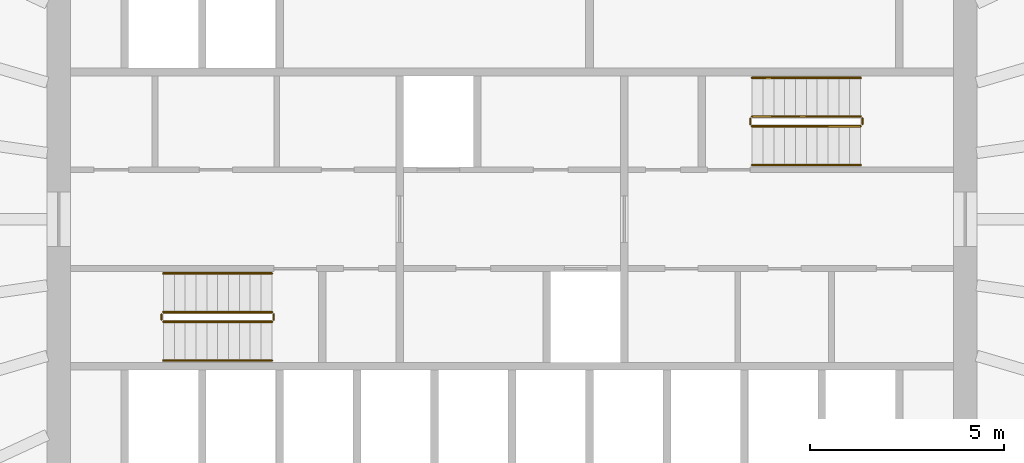
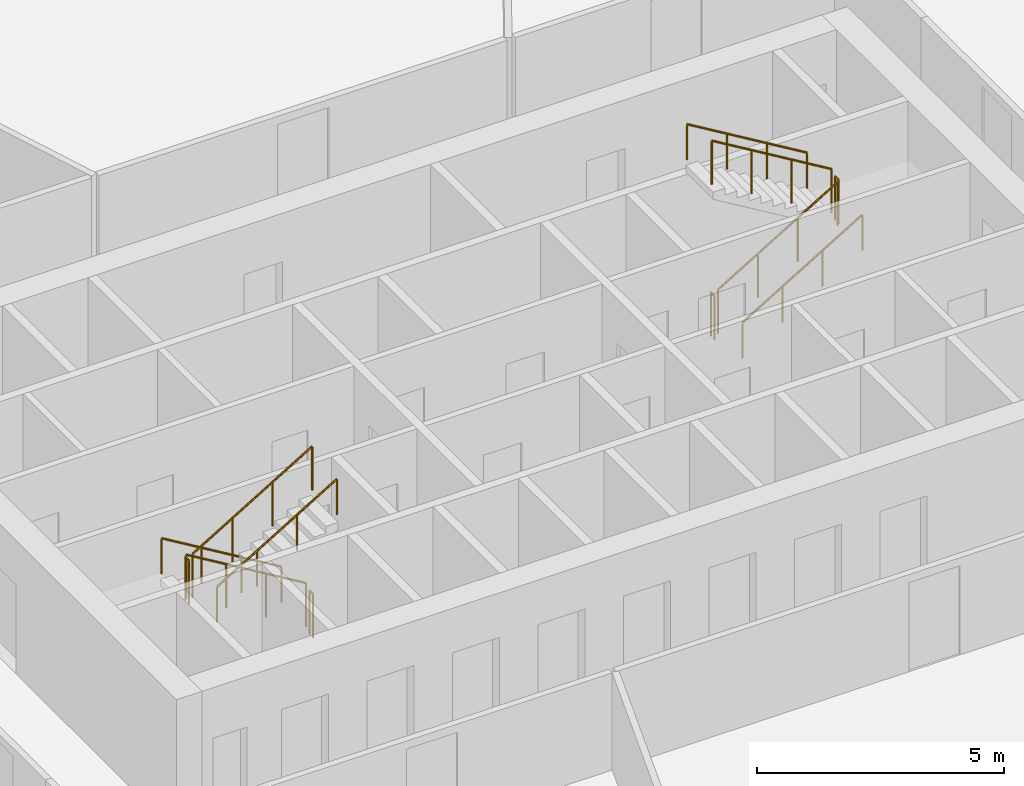
# One storey, part 11 of 11: 12 railings.
"""IFC4 building model written with IfcOpenShell, lengths in metres."""

from ifc_helpers import new_model, si_unit, direction, frame, origin, origin_2d, place, context, subcontext, project, spatial, circle, extrude, material, type_object, element, save


model = new_model("IFC4")

# Units and contexts
model_context = context("Model", 3, precision=1e-05, world=origin(), true_north=direction((0.0, 1.0)))
body_context = subcontext(model_context, "Body", "Model", "MODEL_VIEW")
ifc_project = project(units=[si_unit("LENGTHUNIT", "METRE"), si_unit("AREAUNIT", "SQUARE_METRE"), si_unit("VOLUMEUNIT", "CUBIC_METRE"), si_unit("PLANEANGLEUNIT", "RADIAN"), si_unit("MASSUNIT", "GRAM", prefix="KILO")], contexts=[model_context])

# Site, building, storey
site_placement = place(None, origin())
site = spatial("IfcSite", under=ifc_project, at=site_placement, CompositionType="ELEMENT")
building_placement = place(site_placement, origin())
building = spatial("IfcBuilding", under=site, at=building_placement, Name="Siaravel Broadcast Tower", CompositionType="ELEMENT")
storey_placement = place(building_placement, frame((0.0, 0.0, 40.800048828125)))
storey = spatial("IfcBuildingStorey", under=building, at=storey_placement, Name="L08", CompositionType="ELEMENT", Elevation=40.800048828125)

# Railings
ifc_material = material(Name="Stainless steel 316L", Category="steel")
railing_type_1 = type_object("IfcRailingType", Name="Stair guard 1100", PredefinedType="GUARDRAIL", material=ifc_material)
railing_1_placement = place(storey_placement, frame((-6.199951171875, -2.39990234375, 0.168212890625)))
element("IfcRailing", 1, at=railing_1_placement, inside=storey, type_object=railing_type_1, Name="L08 ST-1 stair guard 1", PredefinedType="GUARDRAIL", context=body_context, shape_type="SweptSolid", body=[
    extrude(circle(Radius=0.02392578125, at=origin_2d()), frame((0.0, 0.0, 1.076171875), z_axis=(-0.857275203, 0.0, 0.514858453), x_axis=(0.0, -1.0, 0.0)), (0.0, 0.0, 1.0), 3.26611328125),
    extrude(circle(Radius=0.02099609375, at=origin_2d()), origin(), (0.0, 0.0, 1.0), 1.052001953125),
    extrude(circle(Radius=0.02099609375, at=origin_2d()), frame((-0.933349609375, 0.0, 0.560546875)), (0.0, 0.0, 1.0), 1.052001953125),
    extrude(circle(Radius=0.02099609375, at=origin_2d()), frame((-1.86669921875, 0.0, 1.12109375)), (0.0, 0.0, 1.0), 1.052001953125),
    extrude(circle(Radius=0.02099609375, at=origin_2d()), frame((-2.800048828125, 0.0, 1.681640625)), (0.0, 0.0, 1.0), 1.052001953125),
])
railing_2_placement = place(storey_placement, frame((-9.050048828125, -2.449951171875, 1.849853515625)))
element("IfcRailing", 2, at=railing_2_placement, inside=storey, type_object=railing_type_1, Name="L08 ST-1 stair guard 2", PredefinedType="GUARDRAIL", context=body_context, shape_type="SweptSolid", body=[
    extrude(circle(Radius=0.02392578125, at=origin_2d()), frame((0.0, 0.0, 1.076171875), z_axis=(0.0, -1.0, 0.0), x_axis=(1.0, 0.0, 0.0)), (0.0, 0.0, 1.0), 0.150146484375),
    extrude(circle(Radius=0.02099609375, at=origin_2d()), origin(), (0.0, 0.0, 1.0), 1.052001953125),
    extrude(circle(Radius=0.02099609375, at=origin_2d()), frame((0.0, -0.150146484375, 0.0)), (0.0, 0.0, 1.0), 1.052001953125),
])
railing_3_placement = place(storey_placement, frame((-9.0, -2.64990234375, 2.01806640625)))
element("IfcRailing", 3, at=railing_3_placement, inside=storey, type_object=railing_type_1, Name="L08 ST-1 stair guard 3", PredefinedType="GUARDRAIL", context=body_context, shape_type="SweptSolid", body=[
    extrude(circle(Radius=0.02392578125, at=origin_2d()), frame((0.0, 0.0, 1.076171875), z_axis=(0.857242211, 0.0, 0.514913383), x_axis=(0.0, 1.0, 0.0)), (0.0, 0.0, 1.0), 3.266357421875),
    extrude(circle(Radius=0.02099609375, at=origin_2d()), origin(), (0.0, 0.0, 1.0), 1.052001953125),
    extrude(circle(Radius=0.02099609375, at=origin_2d()), frame((0.933349609375, 0.0, 0.560546875)), (0.0, 0.0, 1.0), 1.052001953125),
    extrude(circle(Radius=0.02099609375, at=origin_2d()), frame((1.86669921875, 0.0, 1.121337890625)), (0.0, 0.0, 1.0), 1.052001953125),
    extrude(circle(Radius=0.02099609375, at=origin_2d()), frame((2.800048828125, 0.0, 1.681884765625)), (0.0, 0.0, 1.0), 1.052001953125),
])
railing_4_placement = place(storey_placement, frame((-6.14990234375, -2.449951171875, 0.0)))
element("IfcRailing", 4, at=railing_4_placement, inside=storey, type_object=railing_type_1, Name="L08 ST-1 stair guard 4", PredefinedType="GUARDRAIL", context=body_context, shape_type="SweptSolid", body=[
    extrude(circle(Radius=0.02392578125, at=origin_2d()), frame((0.0, 0.0, 1.076171875), z_axis=(0.0, -1.0, 0.0), x_axis=(1.0, 0.0, 0.0)), (0.0, 0.0, 1.0), 0.150146484375),
    extrude(circle(Radius=0.02099609375, at=origin_2d()), origin(), (0.0, 0.0, 1.0), 1.052001953125),
    extrude(circle(Radius=0.02099609375, at=origin_2d()), frame((0.0, -0.150146484375, 0.0)), (0.0, 0.0, 1.0), 1.052001953125),
])
railing_5_placement = place(storey_placement, frame((6.199951171875, 2.39990234375, 0.168212890625)))
element("IfcRailing", 5, at=railing_5_placement, inside=storey, type_object=railing_type_1, Name="L08 ST-2 stair guard 1", PredefinedType="GUARDRAIL", context=body_context, shape_type="SweptSolid", body=[
    extrude(circle(Radius=0.02392578125, at=origin_2d()), frame((0.0, 0.0, 1.076171875), z_axis=(0.857275203, 0.0, 0.514858453), x_axis=(0.0, 1.0, 0.0)), (0.0, 0.0, 1.0), 3.26611328125),
    extrude(circle(Radius=0.02099609375, at=origin_2d()), origin(), (0.0, 0.0, 1.0), 1.052001953125),
    extrude(circle(Radius=0.02099609375, at=origin_2d()), frame((0.933349609375, 0.0, 0.560546875)), (0.0, 0.0, 1.0), 1.052001953125),
    extrude(circle(Radius=0.02099609375, at=origin_2d()), frame((1.86669921875, 0.0, 1.12109375)), (0.0, 0.0, 1.0), 1.052001953125),
    extrude(circle(Radius=0.02099609375, at=origin_2d()), frame((2.800048828125, 0.0, 1.681640625)), (0.0, 0.0, 1.0), 1.052001953125),
])
railing_6_placement = place(storey_placement, frame((9.050048828125, 2.449951171875, 1.849853515625)))
element("IfcRailing", 6, at=railing_6_placement, inside=storey, type_object=railing_type_1, Name="L08 ST-2 stair guard 2", PredefinedType="GUARDRAIL", context=body_context, shape_type="SweptSolid", body=[
    extrude(circle(Radius=0.02392578125, at=origin_2d()), frame((0.0, 0.0, 1.076171875), z_axis=(0.0, 1.0, 0.0), x_axis=(-1.0, 0.0, 0.0)), (0.0, 0.0, 1.0), 0.150146484375),
    extrude(circle(Radius=0.02099609375, at=origin_2d()), origin(), (0.0, 0.0, 1.0), 1.052001953125),
    extrude(circle(Radius=0.02099609375, at=origin_2d()), frame((0.0, 0.150146484375, 0.0)), (0.0, 0.0, 1.0), 1.052001953125),
])
railing_7_placement = place(storey_placement, frame((9.0, 2.64990234375, 2.01806640625)))
element("IfcRailing", 7, at=railing_7_placement, inside=storey, type_object=railing_type_1, Name="L08 ST-2 stair guard 3", PredefinedType="GUARDRAIL", context=body_context, shape_type="SweptSolid", body=[
    extrude(circle(Radius=0.02392578125, at=origin_2d()), frame((0.0, 0.0, 1.076171875), z_axis=(-0.857242211, 0.0, 0.514913383), x_axis=(0.0, -1.0, 0.0)), (0.0, 0.0, 1.0), 3.266357421875),
    extrude(circle(Radius=0.02099609375, at=origin_2d()), origin(), (0.0, 0.0, 1.0), 1.052001953125),
    extrude(circle(Radius=0.02099609375, at=origin_2d()), frame((-0.933349609375, 0.0, 0.560546875)), (0.0, 0.0, 1.0), 1.052001953125),
    extrude(circle(Radius=0.02099609375, at=origin_2d()), frame((-1.86669921875, 0.0, 1.121337890625)), (0.0, 0.0, 1.0), 1.052001953125),
    extrude(circle(Radius=0.02099609375, at=origin_2d()), frame((-2.800048828125, 0.0, 1.681884765625)), (0.0, 0.0, 1.0), 1.052001953125),
])
railing_8_placement = place(storey_placement, frame((6.14990234375, 2.449951171875, 0.0)))
element("IfcRailing", 8, at=railing_8_placement, inside=storey, type_object=railing_type_1, Name="L08 ST-2 stair guard 4", PredefinedType="GUARDRAIL", context=body_context, shape_type="SweptSolid", body=[
    extrude(circle(Radius=0.02392578125, at=origin_2d()), frame((0.0, 0.0, 1.076171875), z_axis=(0.0, 1.0, 0.0), x_axis=(-1.0, 0.0, 0.0)), (0.0, 0.0, 1.0), 0.150146484375),
    extrude(circle(Radius=0.02099609375, at=origin_2d()), origin(), (0.0, 0.0, 1.0), 1.052001953125),
    extrude(circle(Radius=0.02099609375, at=origin_2d()), frame((0.0, 0.150146484375, 0.0)), (0.0, 0.0, 1.0), 1.052001953125),
])
railing_type_2 = type_object("IfcRailingType", Name="Stair handrail 900", PredefinedType="HANDRAIL", material=ifc_material)
railing_9_placement = place(storey_placement, frame((-6.199951171875, -1.39990234375, 0.168212890625)))
element("IfcRailing", 9, at=railing_9_placement, inside=storey, type_object=railing_type_2, Name="L08 ST-1 stair handrail 1", PredefinedType="HANDRAIL", context=body_context, shape_type="SweptSolid", body=[
    extrude(circle(Radius=0.02392578125, at=origin_2d()), frame((0.0, 0.0, 0.8759765625), z_axis=(-0.857275203, 0.0, 0.514858453), x_axis=(0.0, -1.0, 0.0)), (0.0, 0.0, 1.0), 3.26611328125),
    extrude(circle(Radius=0.02099609375, at=origin_2d()), origin(), (0.0, 0.0, 1.0), 0.851806640625),
    extrude(circle(Radius=0.02099609375, at=origin_2d()), frame((-0.933349609375, 0.0, 0.560546875)), (0.0, 0.0, 1.0), 0.851806640625),
    extrude(circle(Radius=0.02099609375, at=origin_2d()), frame((-1.86669921875, 0.0, 1.12109375)), (0.0, 0.0, 1.0), 0.851806640625),
    extrude(circle(Radius=0.02099609375, at=origin_2d()), frame((-2.800048828125, 0.0, 1.681640625)), (0.0, 0.0, 1.0), 0.851806640625),
])
railing_10_placement = place(storey_placement, frame((-9.0, -3.64990234375, 2.01806640625)))
element("IfcRailing", 10, at=railing_10_placement, inside=storey, type_object=railing_type_2, Name="L08 ST-1 stair handrail 2", PredefinedType="HANDRAIL", context=body_context, shape_type="SweptSolid", body=[
    extrude(circle(Radius=0.02392578125, at=origin_2d()), frame((0.0, 0.0, 0.8759765625), z_axis=(0.857242211, 0.0, 0.514913383), x_axis=(0.0, 1.0, 0.0)), (0.0, 0.0, 1.0), 3.266357421875),
    extrude(circle(Radius=0.02099609375, at=origin_2d()), origin(), (0.0, 0.0, 1.0), 0.851806640625),
    extrude(circle(Radius=0.02099609375, at=origin_2d()), frame((0.933349609375, 0.0, 0.560546875)), (0.0, 0.0, 1.0), 0.851806640625),
    extrude(circle(Radius=0.02099609375, at=origin_2d()), frame((1.86669921875, 0.0, 1.121337890625)), (0.0, 0.0, 1.0), 0.851806640625),
    extrude(circle(Radius=0.02099609375, at=origin_2d()), frame((2.800048828125, 0.0, 1.681884765625)), (0.0, 0.0, 1.0), 0.851806640625),
])
railing_11_placement = place(storey_placement, frame((6.199951171875, 1.39990234375, 0.168212890625)))
element("IfcRailing", 11, at=railing_11_placement, inside=storey, type_object=railing_type_2, Name="L08 ST-2 stair handrail 1", PredefinedType="HANDRAIL", context=body_context, shape_type="SweptSolid", body=[
    extrude(circle(Radius=0.02392578125, at=origin_2d()), frame((0.0, 0.0, 0.8759765625), z_axis=(0.857275203, 0.0, 0.514858453), x_axis=(0.0, 1.0, 0.0)), (0.0, 0.0, 1.0), 3.26611328125),
    extrude(circle(Radius=0.02099609375, at=origin_2d()), origin(), (0.0, 0.0, 1.0), 0.851806640625),
    extrude(circle(Radius=0.02099609375, at=origin_2d()), frame((0.933349609375, 0.0, 0.560546875)), (0.0, 0.0, 1.0), 0.851806640625),
    extrude(circle(Radius=0.02099609375, at=origin_2d()), frame((1.86669921875, 0.0, 1.12109375)), (0.0, 0.0, 1.0), 0.851806640625),
    extrude(circle(Radius=0.02099609375, at=origin_2d()), frame((2.800048828125, 0.0, 1.681640625)), (0.0, 0.0, 1.0), 0.851806640625),
])
railing_12_placement = place(storey_placement, frame((9.0, 3.64990234375, 2.01806640625)))
element("IfcRailing", 12, at=railing_12_placement, inside=storey, type_object=railing_type_2, Name="L08 ST-2 stair handrail 2", PredefinedType="HANDRAIL", context=body_context, shape_type="SweptSolid", body=[
    extrude(circle(Radius=0.02392578125, at=origin_2d()), frame((0.0, 0.0, 0.8759765625), z_axis=(-0.857242211, 0.0, 0.514913383), x_axis=(0.0, -1.0, 0.0)), (0.0, 0.0, 1.0), 3.266357421875),
    extrude(circle(Radius=0.02099609375, at=origin_2d()), origin(), (0.0, 0.0, 1.0), 0.851806640625),
    extrude(circle(Radius=0.02099609375, at=origin_2d()), frame((-0.933349609375, 0.0, 0.560546875)), (0.0, 0.0, 1.0), 0.851806640625),
    extrude(circle(Radius=0.02099609375, at=origin_2d()), frame((-1.86669921875, 0.0, 1.121337890625)), (0.0, 0.0, 1.0), 0.851806640625),
    extrude(circle(Radius=0.02099609375, at=origin_2d()), frame((-2.800048828125, 0.0, 1.681884765625)), (0.0, 0.0, 1.0), 0.851806640625),
])

save(model, "model.ifc")
